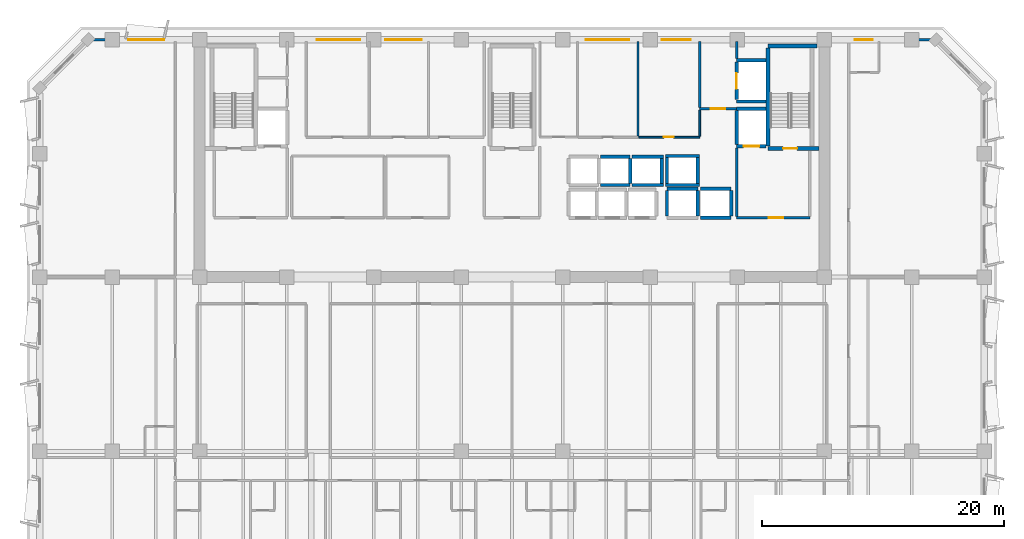
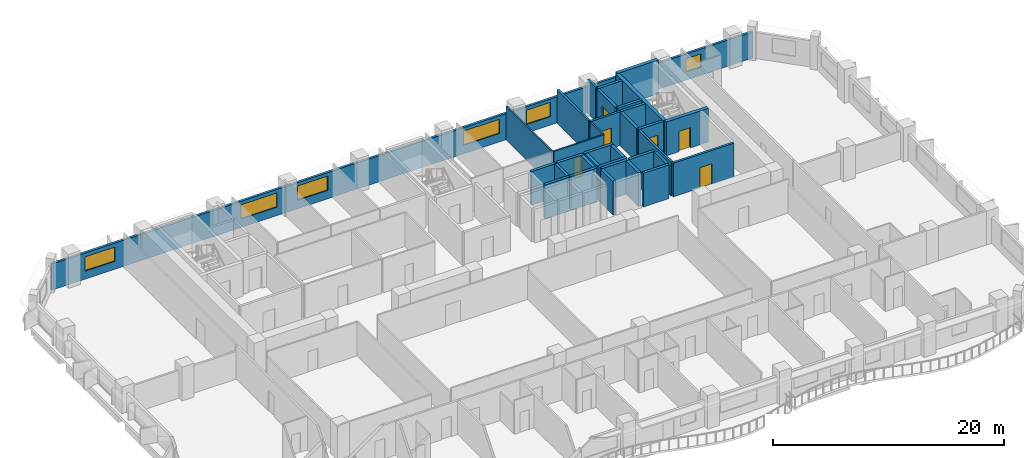
# One storey, part 8 of 15: 34 walls, 6 doors, 6 windows, 12 openings.
"""IFC4 building model written with IfcOpenShell, lengths in metres."""

import ifcopenshell
import ifcopenshell.guid

model = None  # the IFC model being written
_history = None  # IfcOwnerHistory: only IFC2X3 demands one
_inside = {}  # id of a spatial element -> (the spatial element, [elements in it])
_under = {}  # id of a project, library or spatial element -> (it, [spatial elements below it])
_declared = {}  # id of a project -> (the project, [libraries it declares])
_typed = {}  # id of a type object -> (the type object, [elements of that type])
_made_of = {}  # id of a material, layer set ... -> (it, [elements and type objects made of it])


def new_model(schema):
    """Start an empty IFC model of exactly this schema.

    Asked for "IFC4X3", IfcOpenShell would pick the latest addendum, in which some entities
    have other attributes; the version numbers below select the first issue.
    IFC2X3 requires an IfcOwnerHistory on every rooted entity: one is made here for all.
    """
    global model, _history
    if schema == "IFC4X3":
        model = ifcopenshell.file(schema_version=(4, 3, 0, 0))
    else:
        model = ifcopenshell.file(schema=schema)
    _inside.clear()
    _under.clear()
    _declared.clear()
    _typed.clear()
    _made_of.clear()
    _history = None
    if model.schema == "IFC2X3":
        org = make("IfcOrganization", Name="unknown")
        user = make(
            "IfcPersonAndOrganization",
            ThePerson=make("IfcPerson", FamilyName="unknown"),
            TheOrganization=org,
        )
        app = make(
            "IfcApplication",
            ApplicationDeveloper=org,
            Version="unknown",
            ApplicationFullName="unknown",
            ApplicationIdentifier="unknown",
        )
        _history = make(
            "IfcOwnerHistory",
            OwningUser=user,
            OwningApplication=app,
            ChangeAction="ADDED",
            CreationDate=0,
        )
    return model


def make(cls, **values):
    """One entity of the class cls with the attributes given. An attribute that is None is left unset."""
    return model.create_entity(
        cls, **{name: value for name, value in values.items() if value is not None}
    )


def rooted(cls, **values):
    """An entity with a GlobalId (a new one), such as an element, a storey or a relation."""
    return make(cls, GlobalId=ifcopenshell.guid.new(), OwnerHistory=_history, **values)


def si_unit(unit_type, name, prefix=None):
    """IfcSIUnit, for example si_unit("LENGTHUNIT", "METRE", prefix="MILLI")."""
    return make("IfcSIUnit", UnitType=unit_type, Prefix=prefix, Name=name)


def assignment(units):
    """IfcUnitAssignment: the units of a project."""
    return None if units is None else make("IfcUnitAssignment", Units=units)


def point(xyz):
    """IfcCartesianPoint."""
    return None if xyz is None else make("IfcCartesianPoint", Coordinates=xyz)


def direction(xyz):
    """IfcDirection."""
    return None if xyz is None else make("IfcDirection", DirectionRatios=xyz)


def frame(location, z_axis=None, x_axis=None):
    """IfcAxis2Placement3D, a coordinate frame: its origin and axes. An axis left out is left unset."""
    return make(
        "IfcAxis2Placement3D",
        Location=point(location),
        Axis=direction(z_axis),
        RefDirection=direction(x_axis),
    )


def frame_2d(location, x_axis=None):
    """IfcAxis2Placement2D, a coordinate frame in the plane: its origin and x axis."""
    return make(
        "IfcAxis2Placement2D", Location=point(location), RefDirection=direction(x_axis)
    )


def origin():
    """The frame at (0, 0, 0) with its axes left unset."""
    return frame((0.0, 0.0, 0.0))


def place(relative_to, where):
    """IfcLocalPlacement: puts the frame where relative to a parent placement (None: the world)."""
    return make(
        "IfcLocalPlacement", PlacementRelTo=relative_to, RelativePlacement=where
    )


def context(
    kind, dimensions, precision=None, world=None, true_north=None, identifier=None
):
    """IfcGeometricRepresentationContext, for example the 3D "Model" context."""
    return make(
        "IfcGeometricRepresentationContext",
        ContextIdentifier=identifier,
        ContextType=kind,
        CoordinateSpaceDimension=dimensions,
        Precision=precision,
        WorldCoordinateSystem=world,
        TrueNorth=true_north,
    )


def subcontext(parent, identifier, kind, view, scale=None):
    """IfcGeometricRepresentationSubContext, for example "Body" below "Model"."""
    return make(
        "IfcGeometricRepresentationSubContext",
        ContextIdentifier=identifier,
        ContextType=kind,
        ParentContext=parent,
        TargetScale=scale,
        TargetView=view,
    )


def project(units=None, contexts=None):
    """IfcProject with its units and contexts."""
    return rooted(
        "IfcProject",
        Name="project",
        RepresentationContexts=contexts,
        UnitsInContext=assignment(units),
    )


def spatial(cls, under=None, at=None, **own):
    """A site, building, storey or space (cls), placed at a placement, below another one or the project."""
    s = rooted(cls, ObjectPlacement=at, **own)
    if under is not None:
        _under.setdefault(under.id(), (under, []))[1].append(s)
    return s


def profile(cls, at=None, kind="AREA", **sizes):
    """A parametric profile (cls). Its sizes go by their IFC names, for example OverallWidth=200.0."""
    return make(cls, ProfileType=kind, Position=at, **sizes)


def rectangle(**sizes):
    """IfcRectangleProfileDef."""
    return profile("IfcRectangleProfileDef", **sizes)


def extrude(swept, where, along, depth):
    """IfcExtrudedAreaSolid: the profile swept, set in the frame where, extruded along a direction by depth."""
    return make(
        "IfcExtrudedAreaSolid",
        SweptArea=swept,
        Position=where,
        ExtrudedDirection=direction(along),
        Depth=depth,
    )


def shape(context_of_items, identifier, shape_type, items):
    """IfcShapeRepresentation: the items that make up one representation, for example the "Body"."""
    return make(
        "IfcShapeRepresentation",
        ContextOfItems=context_of_items,
        RepresentationIdentifier=identifier,
        RepresentationType=shape_type,
        Items=items,
    )


def material(Name=None, Category=None):
    """IfcMaterial."""
    return make("IfcMaterial", Name=Name, Category=Category)


def layer(
    of_material, thickness, ventilated=None, Name=None, Category=None, Priority=None
):
    """IfcMaterialLayer: one layer of a wall or slab, of a material (None: an air gap)."""
    return make(
        "IfcMaterialLayer",
        Material=of_material,
        LayerThickness=thickness,
        IsVentilated=ventilated,
        Name=Name,
        Category=Category,
        Priority=Priority,
    )


def layer_set(layers, Name=None):
    """IfcMaterialLayerSet."""
    return make("IfcMaterialLayerSet", MaterialLayers=layers, LayerSetName=Name)


def made_of(thing, what):
    """Note that an element or type object is made of a material, layer set ...; save() writes the relation."""
    if what is not None:
        _made_of.setdefault(what.id(), (what, []))[1].append(thing)
    return thing


def type_object(cls, material=None, **own):
    """A type object (cls), such as IfcWallType, which elements share."""
    return made_of(rooted(cls, **own), material)


def element(
    cls,
    number,
    at=None,
    inside=None,
    cuts=None,
    type_object=None,
    material=None,
    context=None,
    identifier="Body",
    shape_type=None,
    held_by="IfcProductDefinitionShape",
    body=None,
    shapes=None,
    **own,
):
    """One element of the class cls, such as IfcWall. Its Tag is "e" and its number.

    at: its placement. inside: the storey or other place that contains it. cuts: it is an
    opening in that element (IfcRelVoidsElement). A single representation is given by context,
    identifier, shape_type and body (its items); several are given by shapes. held_by: the class
    of the entity that holds the representations. save() writes the other relations.
    """
    e = rooted(cls, Tag="e%d" % number, ObjectPlacement=at, **own)
    if body is not None:
        shapes = [shape(context, identifier, shape_type, body)]
    if shapes is not None:
        e.Representation = make(held_by, Representations=shapes)
    if inside is not None:
        _inside.setdefault(inside.id(), (inside, []))[1].append(e)
    if cuts is not None:
        rooted(
            "IfcRelVoidsElement", RelatingBuildingElement=cuts, RelatedOpeningElement=e
        )
    if type_object is not None:
        _typed.setdefault(type_object.id(), (type_object, []))[1].append(e)
    return made_of(e, material)


def fill(opening, filler):
    """IfcRelFillsElement: the door or window that sits in an opening."""
    return rooted(
        "IfcRelFillsElement",
        RelatingOpeningElement=opening,
        RelatedBuildingElement=filler,
    )


def aggregate(whole, parts):
    """IfcRelAggregates: a whole, such as a stair, and the parts it consists of."""
    return rooted("IfcRelAggregates", RelatingObject=whole, RelatedObjects=parts)


def save(model, path):
    """Write the relations noted so far, then the file.

    IfcRelAggregates (storeys below a building ...), IfcRelContainedInSpatialStructure (elements
    in a storey), IfcRelDefinesByType, IfcRelAssociatesMaterial and IfcRelDeclares: one each for
    every whole, place, type object, material and project.
    """
    for whole, parts in _under.values():
        aggregate(whole, parts)
    for where, things in _inside.values():
        rooted(
            "IfcRelContainedInSpatialStructure",
            RelatedElements=things,
            RelatingStructure=where,
        )
    for kind, things in _typed.values():
        rooted("IfcRelDefinesByType", RelatedObjects=things, RelatingType=kind)
    for what, things in _made_of.values():
        rooted("IfcRelAssociatesMaterial", RelatedObjects=things, RelatingMaterial=what)
    for by, libraries in _declared.values():
        rooted("IfcRelDeclares", RelatingContext=by, RelatedDefinitions=libraries)
    model.write(path)


model = new_model("IFC4")

# Units and contexts
model_context = context("Model", 3, precision=1e-05, world=origin(), true_north=direction((0.0, 1.0)))
body_context = subcontext(model_context, "Body", "Model", "MODEL_VIEW")
ifc_project = project(units=[si_unit("LENGTHUNIT", "METRE"), si_unit("AREAUNIT", "SQUARE_METRE"), si_unit("VOLUMEUNIT", "CUBIC_METRE"), si_unit("PLANEANGLEUNIT", "RADIAN"), si_unit("MASSUNIT", "GRAM", prefix="KILO")], contexts=[model_context])

# Site, building, storey
site_placement = place(None, origin())
site = spatial("IfcSite", under=ifc_project, at=site_placement, CompositionType="ELEMENT")
building_placement = place(site_placement, origin())
building = spatial("IfcBuilding", under=site, at=building_placement, Name="Kaelvorn Grand Hotel", CompositionType="ELEMENT")
storey_placement = place(building_placement, frame((0.0, 0.0, 158.14990234375)))
storey = spatial("IfcBuildingStorey", under=building, at=storey_placement, Name="L38", CompositionType="ELEMENT", Elevation=158.14990234375)

# Wall, openings, windows
ifc_material_1 = material(Name="Concrete C40/50", Category="concrete")
ifc_layer_1 = layer(ifc_material_1, 0.239990234375)
ifc_layer_set_1 = layer_set([ifc_layer_1], Name="Concrete C40/50")
wall_type_1 = type_object("IfcWallType", Name="WL-EXT-240-C40", PredefinedType="SOLIDWALL", material=ifc_layer_set_1)
wall_1_placement = place(storey_placement, frame((77.0, 49.0, 0.0), z_axis=(0.0, 0.0, 1.0), x_axis=(-1.0, 0.0, 0.0)))
wall_1 = element("IfcWall", 1, at=wall_1_placement, inside=storey, type_object=wall_type_1, Name="L38 Exterior Architectural Concrete Wall 05", PredefinedType="SOLIDWALL", context=body_context, shape_type="SweptSolid", body=[
    extrude(rectangle(XDim=70.0, YDim=0.239990234375, at=frame_2d((35.0, 0.0))), origin(), (0.0, 0.0, 1.0), 2.760009765625),
])
opening_1_placement = place(wall_1_placement, frame((63.699951171875, 0.0, 0.85009765625)))
opening_1 = element("IfcOpeningElement", 2, at=opening_1_placement, cuts=wall_1, Name="Opening W5", PredefinedType="OPENING", context=body_context, shape_type="SweptSolid", body=[
    extrude(rectangle(XDim=3.0, YDim=1.5, at=frame_2d((1.5, 0.75))), frame((0.0, 0.1298828125, 0.0), z_axis=(0.0, -1.0, 0.0), x_axis=(1.0, 0.0, 0.0)), (0.0, 0.0, 1.0), 0.260009765625),
])
opening_2_placement = place(wall_1_placement, frame((5.199951171875, 0.0, 0.85009765625)))
opening_2 = element("IfcOpeningElement", 3, at=opening_2_placement, cuts=wall_1, Name="Opening W10", PredefinedType="OPENING", context=body_context, shape_type="SweptSolid", body=[
    extrude(rectangle(XDim=1.5, YDim=1.39990234375, at=frame_2d((0.75, 0.699951171875))), frame((0.0, 0.1298828125, 0.0), z_axis=(0.0, -1.0, 0.0), x_axis=(1.0, 0.0, 0.0)), (0.0, 0.0, 1.0), 0.260009765625),
])
opening_3_placement = place(wall_1_placement, frame((47.514892578125, 0.0, 0.89990234375)))
opening_3 = element("IfcOpeningElement", 4, at=opening_3_placement, cuts=wall_1, Name="Opening W3", PredefinedType="OPENING", context=body_context, shape_type="SweptSolid", body=[
    extrude(rectangle(XDim=3.60009765625, YDim=1.5, at=frame_2d((1.800048828125, 0.75))), frame((0.0, 0.1298828125, 0.0), z_axis=(0.0, -1.0, 0.0), x_axis=(1.0, 0.0, 0.0)), (0.0, 0.0, 1.0), 0.260009765625),
])
opening_4_placement = place(wall_1_placement, frame((42.449951171875, 0.0, 0.89990234375)))
opening_4 = element("IfcOpeningElement", 5, at=opening_4_placement, cuts=wall_1, Name="Opening W5", PredefinedType="OPENING", context=body_context, shape_type="SweptSolid", body=[
    extrude(rectangle(XDim=3.0, YDim=1.5, at=frame_2d((1.5, 0.75))), frame((0.0, 0.1298828125, 0.0), z_axis=(0.0, -1.0, 0.0), x_axis=(1.0, 0.0, 0.0)), (0.0, 0.0, 1.0), 0.260009765625),
])
opening_5_placement = place(wall_1_placement, frame((25.300048828125, 0.0, 0.89990234375)))
opening_5 = element("IfcOpeningElement", 6, at=opening_5_placement, cuts=wall_1, Name="Opening W3", PredefinedType="OPENING", context=body_context, shape_type="SweptSolid", body=[
    extrude(rectangle(XDim=3.60009765625, YDim=1.5, at=frame_2d((1.800048828125, 0.75))), frame((0.0, 0.1298828125, 0.0), z_axis=(0.0, -1.0, 0.0), x_axis=(1.0, 0.0, 0.0)), (0.0, 0.0, 1.0), 0.260009765625),
])
opening_6_placement = place(wall_1_placement, frame((20.235107421875, 0.0, 0.89990234375)))
opening_6 = element("IfcOpeningElement", 7, at=opening_6_placement, cuts=wall_1, Name="Opening W6", PredefinedType="OPENING", context=body_context, shape_type="SweptSolid", body=[
    extrude(rectangle(XDim=2.39990234375, YDim=1.5, at=frame_2d((1.199951171875, 0.75))), frame((0.0, 0.1298828125, 0.0), z_axis=(0.0, -1.0, 0.0), x_axis=(1.0, 0.0, 0.0)), (0.0, 0.0, 1.0), 0.260009765625),
])
ifc_material_2 = material(Name="Laminated Low-E Glass", Category="glass")
window_type_1 = type_object("IfcWindowType", Name="WIN-COR-1500x1400", PartitioningType="SINGLE_PANEL", PredefinedType="WINDOW", material=ifc_material_2)
window_1_placement = place(opening_2_placement, origin())
window_1 = element("IfcWindow", 8, at=window_1_placement, inside=storey, type_object=window_type_1, Name="L38 North Wing Ribbon Window NW02", OverallHeight=1.39990234375, OverallWidth=1.5, PartitioningType="SINGLE_PANEL", PredefinedType="WINDOW", context=body_context, shape_type="SweptSolid", body=[
    extrude(rectangle(XDim=1.5, YDim=1.39990234375, at=frame_2d((0.75, 0.699951171875))), frame((0.0, 0.030029296875, 0.0), z_axis=(0.0, -1.0, 0.0), x_axis=(1.0, 0.0, 0.0)), (0.0, 0.0, 1.0), 0.06005859375),
])
fill(opening_2, window_1)
window_type_2 = type_object("IfcWindowType", Name="WIN-NTH-2400x1500", PartitioningType="SINGLE_PANEL", PredefinedType="WINDOW", material=ifc_material_2)
window_2_placement = place(opening_6_placement, origin())
window_2 = element("IfcWindow", 9, at=window_2_placement, inside=storey, type_object=window_type_2, Name="L38 North Core Clerestory Ribbon Window NC06", OverallHeight=1.5, OverallWidth=2.39990234375, PartitioningType="SINGLE_PANEL", PredefinedType="WINDOW", context=body_context, shape_type="SweptSolid", body=[
    extrude(rectangle(XDim=2.39990234375, YDim=1.5, at=frame_2d((1.199951171875, 0.75))), frame((0.0, 0.030029296875, 0.0), z_axis=(0.0, -1.0, 0.0), x_axis=(1.0, 0.0, 0.0)), (0.0, 0.0, 1.0), 0.06005859375),
])
fill(opening_6, window_2)
window_type_3 = type_object("IfcWindowType", Name="WIN-NTH-3000x1500", PartitioningType="SINGLE_PANEL", PredefinedType="WINDOW", material=ifc_material_2)
window_3_placement = place(opening_1_placement, origin())
window_3 = element("IfcWindow", 10, at=window_3_placement, inside=storey, type_object=window_type_3, Name="L38 North Wing Ribbon Window NW01", OverallHeight=1.5, OverallWidth=3.0, PartitioningType="SINGLE_PANEL", PredefinedType="WINDOW", context=body_context, shape_type="SweptSolid", body=[
    extrude(rectangle(XDim=3.0, YDim=1.5, at=frame_2d((1.5, 0.75))), frame((0.0, 0.030029296875, 0.0), z_axis=(0.0, -1.0, 0.0), x_axis=(1.0, 0.0, 0.0)), (0.0, 0.0, 1.0), 0.06005859375),
])
fill(opening_1, window_3)
window_4_placement = place(opening_4_placement, origin())
window_4 = element("IfcWindow", 11, at=window_4_placement, inside=storey, type_object=window_type_3, Name="L38 North Core Clerestory Ribbon Window NC04", OverallHeight=1.5, OverallWidth=3.0, PartitioningType="SINGLE_PANEL", PredefinedType="WINDOW", context=body_context, shape_type="SweptSolid", body=[
    extrude(rectangle(XDim=3.0, YDim=1.5, at=frame_2d((1.5, 0.75))), frame((0.0, 0.030029296875, 0.0), z_axis=(0.0, -1.0, 0.0), x_axis=(1.0, 0.0, 0.0)), (0.0, 0.0, 1.0), 0.06005859375),
])
fill(opening_4, window_4)
window_type_4 = type_object("IfcWindowType", Name="WIN-RIB-3600x1750", PartitioningType="SINGLE_PANEL", PredefinedType="WINDOW", material=ifc_material_2)
window_5_placement = place(opening_3_placement, origin())
window_5 = element("IfcWindow", 12, at=window_5_placement, inside=storey, type_object=window_type_4, Name="L38 North Core Clerestory Ribbon Window NC03", OverallHeight=1.5, OverallWidth=3.60009765625, PartitioningType="SINGLE_PANEL", PredefinedType="WINDOW", context=body_context, shape_type="SweptSolid", body=[
    extrude(rectangle(XDim=3.60009765625, YDim=1.5, at=frame_2d((1.800048828125, 0.75))), frame((0.0, 0.030029296875, 0.0), z_axis=(0.0, -1.0, 0.0), x_axis=(1.0, 0.0, 0.0)), (0.0, 0.0, 1.0), 0.06005859375),
])
fill(opening_3, window_5)
window_6_placement = place(opening_5_placement, origin())
window_6 = element("IfcWindow", 13, at=window_6_placement, inside=storey, type_object=window_type_4, Name="L38 North Core Clerestory Ribbon Window NC05", OverallHeight=1.5, OverallWidth=3.60009765625, PartitioningType="SINGLE_PANEL", PredefinedType="WINDOW", context=body_context, shape_type="SweptSolid", body=[
    extrude(rectangle(XDim=3.60009765625, YDim=1.5, at=frame_2d((1.800048828125, 0.75))), frame((0.0, 0.030029296875, 0.0), z_axis=(0.0, -1.0, 0.0), x_axis=(1.0, 0.0, 0.0)), (0.0, 0.0, 1.0), 0.06005859375),
])
fill(opening_5, window_6)

# Wall
ifc_material_3 = material(Name="Acoustic Gypsum & Stud Partition")
ifc_layer_2 = layer(ifc_material_3, 0.14990234375)
ifc_layer_set_2 = layer_set([ifc_layer_2], Name="Acoustic Gypsum & Stud Partition")
wall_type_2 = type_object("IfcWallType", Name="WL-PART-150-EI60", PredefinedType="PARTITIONING", material=ifc_layer_set_2)
wall_2_placement = place(storey_placement, frame((52.39990234375, 41.030029296875, 0.0), z_axis=(0.0, 0.0, 1.0), x_axis=(0.0, 1.0, 0.0)))
element("IfcWall", 14, at=wall_2_placement, inside=storey, type_object=wall_type_2, Name="L38 Valet & Luggage Store E Partition", PredefinedType="PARTITIONING", context=body_context, shape_type="SweptSolid", body=[
    extrude(rectangle(XDim=7.820068359375, YDim=0.14990234375, at=frame_2d((3.91015625, 0.0))), origin(), (0.0, 0.0, 1.0), 3.56005859375),
])

# Wall, opening, door
wall_3_placement = place(storey_placement, frame((52.47998046875, 40.949951171875, 0.0), z_axis=(0.0, 0.0, 1.0), x_axis=(1.0, 0.0, 0.0)))
wall_3 = element("IfcWall", 15, at=wall_3_placement, inside=storey, type_object=wall_type_2, Name="L38 Clean Utility & Amenity Store S Partition", PredefinedType="PARTITIONING", context=body_context, shape_type="SweptSolid", body=[
    extrude(rectangle(XDim=5.02001953125, YDim=0.14990234375, at=frame_2d((2.510009765625, 0.0))), origin(), (0.0, 0.0, 1.0), 3.56005859375),
])
opening_7_placement = place(wall_3_placement, frame((2.044921875, 0.0, 0.0)))
opening_7 = element("IfcOpeningElement", 16, at=opening_7_placement, cuts=wall_3, Name="Opening DI7", PredefinedType="OPENING", context=body_context, shape_type="SweptSolid", body=[
    extrude(rectangle(XDim=0.85009765625, YDim=2.10009765625, at=frame_2d((0.425048828125, 1.050048828125))), frame((0.0, 0.0849609375, 0.0), z_axis=(0.0, -1.0, 0.0), x_axis=(1.0, 0.0, 0.0)), (0.0, 0.0, 1.0), 0.169921875),
])
ifc_material_4 = material(Name="Powder-Coated Steel Leaf", Category="steel")
door_type_1 = type_object("IfcDoorType", Name="DR-INT-RISER-850x2100", OperationType="NOTDEFINED", PredefinedType="DOOR", material=ifc_material_4)
door_1_placement = place(opening_7_placement, origin())
door_1 = element("IfcDoor", 17, at=door_1_placement, inside=storey, type_object=door_type_1, Name="L38 Clean Utility & Amenity Store Door", OperationType="SINGLE_SWING_LEFT", OverallHeight=2.10009765625, OverallWidth=0.85009765625, PredefinedType="DOOR", context=body_context, shape_type="SweptSolid", body=[
    extrude(rectangle(XDim=0.85009765625, YDim=2.10009765625, at=frame_2d((0.425048828125, 1.050048828125))), frame((0.0, 0.02490234375, 0.0), z_axis=(0.0, -1.0, 0.0), x_axis=(1.0, 0.0, 0.0)), (0.0, 0.0, 1.0), 0.050048828125),
])
fill(opening_7, door_1)

# Wall
wall_4_placement = place(storey_placement, frame((57.5, 41.030029296875, 0.0), z_axis=(0.0, 0.0, 1.0), x_axis=(0.0, 1.0, 0.0)))
element("IfcWall", 18, at=wall_4_placement, inside=storey, type_object=wall_type_2, Name="L38 Clean Utility & Amenity Store E Partition", PredefinedType="PARTITIONING", context=body_context, shape_type="SweptSolid", body=[
    extrude(rectangle(XDim=2.155029296875, YDim=0.14990234375, at=frame_2d((1.07763671875, 0.0))), origin(), (0.0, 0.0, 1.0), 3.56005859375),
])

# Wall, opening, door
ifc_layer_3 = layer(ifc_material_1, 0.219970703125)
ifc_layer_set_3 = layer_set([ifc_layer_3], Name="Concrete C40/50")
wall_type_3 = type_object("IfcWallType", Name="WL-PART-220-EI120", PredefinedType="PARTITIONING", material=ifc_layer_set_3)
wall_5_placement = place(storey_placement, frame((60.550048828125, 34.300048828125, 0.0), z_axis=(0.0, 0.0, 1.0), x_axis=(1.0, 0.0, 0.0)))
wall_5 = element("IfcWall", 19, at=wall_5_placement, inside=storey, type_object=wall_type_3, Name="L38 Firefighting Lift Lobby 2 S Partition", PredefinedType="PARTITIONING", context=body_context, shape_type="SweptSolid", body=[
    extrude(rectangle(XDim=6.050048828125, YDim=0.219970703125, at=frame_2d((3.02490234375, 0.0))), origin(), (0.0, 0.0, 1.0), 3.56005859375),
])
opening_8_placement = place(wall_5_placement, frame((2.64990234375, 0.0, 0.0)))
opening_8 = element("IfcOpeningElement", 20, at=opening_8_placement, cuts=wall_5, Name="Opening DI2", PredefinedType="OPENING", context=body_context, shape_type="SweptSolid", body=[
    extrude(rectangle(XDim=1.199951171875, YDim=2.14990234375, at=frame_2d((0.60009765625, 1.074951171875))), frame((0.0, 0.1201171875, 0.0), z_axis=(0.0, -1.0, 0.0), x_axis=(1.0, 0.0, 0.0)), (0.0, 0.0, 1.0), 0.239990234375),
])
ifc_material_5 = material(Name="Timber Veneer Fire Leaf", Category="wood")
door_type_2 = type_object("IfcDoorType", Name="DR-INT-FFLOB-1200x2150", OperationType="NOTDEFINED", PredefinedType="DOOR", material=ifc_material_5)
door_2_placement = place(opening_8_placement, origin())
door_2 = element("IfcDoor", 21, at=door_2_placement, inside=storey, type_object=door_type_2, Name="L38 Firefighting Lift Lobby 2 Door", OperationType="SINGLE_SWING_LEFT", OverallHeight=2.14990234375, OverallWidth=1.199951171875, PredefinedType="DOOR", context=body_context, shape_type="SweptSolid", body=[
    extrude(rectangle(XDim=1.199951171875, YDim=2.14990234375, at=frame_2d((0.60009765625, 1.074951171875))), frame((0.0, 0.02490234375, 0.0), z_axis=(0.0, -1.0, 0.0), x_axis=(1.0, 0.0, 0.0)), (0.0, 0.0, 1.0), 0.050048828125),
])
fill(opening_8, door_2)

# Wall
wall_6_placement = place(storey_placement, frame((60.550048828125, 34.4150390625, 0.0), z_axis=(0.0, 0.0, 1.0), x_axis=(0.0, 1.0, 0.0)))
element("IfcWall", 22, at=wall_6_placement, inside=storey, type_object=wall_type_3, Name="L38 Firefighting Lift Lobby 2 W Partition", PredefinedType="PARTITIONING", context=body_context, shape_type="SweptSolid", body=[
    extrude(rectangle(XDim=5.639892578125, YDim=0.219970703125, at=frame_2d((2.81982421875, 0.0))), origin(), (0.0, 0.0, 1.0), 3.56005859375),
])

# Wall, opening, door
wall_7_placement = place(storey_placement, frame((57.5, 43.300048828125, 0.0), z_axis=(0.0, 0.0, 1.0), x_axis=(1.0, 0.0, 0.0)))
wall_7 = element("IfcWall", 23, at=wall_7_placement, inside=storey, type_object=wall_type_3, Name="L38 Service Lift Lobby S Partition", PredefinedType="PARTITIONING", context=body_context, shape_type="SweptSolid", body=[
    extrude(rectangle(XDim=3.0400390625, YDim=0.219970703125, at=frame_2d((1.52001953125, 0.0))), origin(), (0.0, 0.0, 1.0), 3.56005859375),
])
opening_9_placement = place(wall_7_placement, frame((0.89990234375, 0.0, 0.0)))
opening_9 = element("IfcOpeningElement", 24, at=opening_9_placement, cuts=wall_7, Name="Opening DI2", PredefinedType="OPENING", context=body_context, shape_type="SweptSolid", body=[
    extrude(rectangle(XDim=1.199951171875, YDim=2.14990234375, at=frame_2d((0.60009765625, 1.074951171875))), frame((0.0, 0.1201171875, 0.0), z_axis=(0.0, -1.0, 0.0), x_axis=(1.0, 0.0, 0.0)), (0.0, 0.0, 1.0), 0.239990234375),
])
door_3_placement = place(opening_9_placement, origin())
door_3 = element("IfcDoor", 25, at=door_3_placement, inside=storey, type_object=door_type_2, Name="L38 Service Lift Lobby Door", OperationType="SINGLE_SWING_LEFT", OverallHeight=2.14990234375, OverallWidth=1.199951171875, PredefinedType="DOOR", context=body_context, shape_type="SweptSolid", body=[
    extrude(rectangle(XDim=1.199951171875, YDim=2.14990234375, at=frame_2d((0.60009765625, 1.074951171875))), frame((0.0, 0.02490234375, 0.0), z_axis=(0.0, -1.0, 0.0), x_axis=(1.0, 0.0, 0.0)), (0.0, 0.0, 1.0), 0.050048828125),
])
fill(opening_9, door_3)

# Walls
wall_8_placement = place(storey_placement, frame((57.5, 43.4150390625, 0.0), z_axis=(0.0, 0.0, 1.0), x_axis=(0.0, 1.0, 0.0)))
element("IfcWall", 26, at=wall_8_placement, inside=storey, type_object=wall_type_3, Name="L38 Service Lift Lobby W Partition", PredefinedType="PARTITIONING", context=body_context, shape_type="SweptSolid", body=[
    extrude(rectangle(XDim=5.43505859375, YDim=0.219970703125, at=frame_2d((2.717529296875, 0.0))), origin(), (0.0, 0.0, 1.0), 3.56005859375),
])
wall_9_placement = place(storey_placement, frame((60.550048828125, 47.445068359375, 0.0), z_axis=(0.0, 0.0, 1.0), x_axis=(0.0, 1.0, 0.0)))
element("IfcWall", 27, at=wall_9_placement, inside=storey, type_object=wall_type_3, Name="L38 Service Lift Lobby E Partition", PredefinedType="PARTITIONING", context=body_context, shape_type="SweptSolid", body=[
    extrude(rectangle(XDim=1.405029296875, YDim=0.219970703125, at=frame_2d((0.70263671875, 0.0))), origin(), (0.0, 0.0, 1.0), 3.56005859375),
])
ifc_material_6 = material(Name="Concrete C50/60", Category="concrete")
ifc_layer_4 = layer(ifc_material_6, 0.280029296875)
ifc_layer_set_4 = layer_set([ifc_layer_4], Name="Concrete C50/60")
wall_type_4 = type_object("IfcWallType", Name="WL-SHAFT-280-C50", PredefinedType="SHEAR", material=ifc_layer_set_4)
for number, where, z_axis, x_axis, name in (
    (28, (49.300048828125, 37.0, 0.0), (0.0, 0.0, 1.0), (1.0, 0.0, 0.0), "L38 Lift SL-2 Shaft South Wall"),
    (29, (49.300048828125, 39.35009765625, 0.0), (0.0, 0.0, 1.0), (1.0, 0.0, 0.0), "L38 Lift SL-2 Shaft North Wall"),
):
    element("IfcWall", number, at=place(storey_placement, frame(where, z_axis=z_axis, x_axis=x_axis)), inside=storey, type_object=wall_type_4, Name=name, PredefinedType="SHEAR", context=body_context, shape_type="SweptSolid", body=[
        extrude(rectangle(XDim=2.449951171875, YDim=0.280029296875, at=frame_2d((1.22509765625, 0.0))), origin(), (0.0, 0.0, 1.0), 3.56005859375),
    ])
wall_10_placement = place(storey_placement, frame((51.75, 37.14501953125, 0.0), z_axis=(0.0, 0.0, 1.0), x_axis=(0.0, 1.0, 0.0)))
element("IfcWall", 30, at=wall_10_placement, inside=storey, type_object=wall_type_4, Name="L38 Lift SL-2 Shaft East Wall", PredefinedType="SHEAR", context=body_context, shape_type="SweptSolid", body=[
    extrude(rectangle(XDim=2.06005859375, YDim=0.280029296875, at=frame_2d((1.030029296875, 0.0))), origin(), (0.0, 0.0, 1.0), 3.56005859375),
])
for number, where, z_axis, x_axis, name in (
    (31, (51.89990234375, 37.0, 0.0), (0.0, 0.0, 1.0), (1.0, 0.0, 0.0), "L38 Lift SL-3 Shaft South Wall"),
    (32, (51.89990234375, 39.35009765625, 0.0), (0.0, 0.0, 1.0), (1.0, 0.0, 0.0), "L38 Lift SL-3 Shaft North Wall"),
):
    element("IfcWall", number, at=place(storey_placement, frame(where, z_axis=z_axis, x_axis=x_axis)), inside=storey, type_object=wall_type_4, Name=name, PredefinedType="SHEAR", context=body_context, shape_type="SweptSolid", body=[
        extrude(rectangle(XDim=2.590087890625, YDim=0.280029296875, at=frame_2d((1.294921875, 0.0))), origin(), (0.0, 0.0, 1.0), 3.56005859375),
    ])
wall_11_placement = place(storey_placement, frame((54.35009765625, 37.14501953125, 0.0), z_axis=(0.0, 0.0, 1.0), x_axis=(0.0, 1.0, 0.0)))
element("IfcWall", 33, at=wall_11_placement, inside=storey, type_object=wall_type_4, Name="L38 Lift SL-3 Shaft East Wall", PredefinedType="SHEAR", context=body_context, shape_type="SweptSolid", body=[
    extrude(rectangle(XDim=2.06005859375, YDim=0.280029296875, at=frame_2d((1.030029296875, 0.0))), origin(), (0.0, 0.0, 1.0), 3.56005859375),
])
wall_12_placement = place(storey_placement, frame((54.800048828125, 36.699951171875, 0.0), z_axis=(0.0, 0.0, 1.0), x_axis=(1.0, 0.0, 0.0)))
element("IfcWall", 34, at=wall_12_placement, inside=storey, type_object=wall_type_4, Name="L38 Lift OL-1 Shaft North Wall", PredefinedType="SHEAR", context=body_context, shape_type="SweptSolid", body=[
    extrude(rectangle(XDim=2.550048828125, YDim=0.280029296875, at=frame_2d((1.27490234375, 0.0))), origin(), (0.0, 0.0, 1.0), 3.56005859375),
])
for number, where, z_axis, x_axis, name in (
    (35, (54.800048828125, 34.445068359375, 0.0), (0.0, 0.0, 1.0), (0.0, 1.0, 0.0), "L38 Lift OL-1 Shaft West Wall"),
    (36, (57.35009765625, 34.445068359375, 0.0), (0.0, 0.0, 1.0), (0.0, 1.0, 0.0), "L38 Lift OL-1 Shaft East Wall"),
):
    element("IfcWall", number, at=place(storey_placement, frame(where, z_axis=z_axis, x_axis=x_axis)), inside=storey, type_object=wall_type_4, Name=name, PredefinedType="SHEAR", context=body_context, shape_type="SweptSolid", body=[
        extrude(rectangle(XDim=2.10986328125, YDim=0.280029296875, at=frame_2d((1.054931640625, 0.0))), origin(), (0.0, 0.0, 1.0), 3.56005859375),
    ])
for number, where, z_axis, x_axis, name in (
    (37, (57.550048828125, 34.300048828125, 0.0), (0.0, 0.0, 1.0), (1.0, 0.0, 0.0), "L38 Lift OL-2 Shaft South Wall"),
    (38, (57.550048828125, 36.699951171875, 0.0), (0.0, 0.0, 1.0), (1.0, 0.0, 0.0), "L38 Lift OL-2 Shaft North Wall"),
):
    element("IfcWall", number, at=place(storey_placement, frame(where, z_axis=z_axis, x_axis=x_axis)), inside=storey, type_object=wall_type_4, Name=name, PredefinedType="SHEAR", context=body_context, shape_type="SweptSolid", body=[
        extrude(rectangle(XDim=2.550048828125, YDim=0.280029296875, at=frame_2d((1.27490234375, 0.0))), origin(), (0.0, 0.0, 1.0), 3.56005859375),
    ])
wall_13_placement = place(storey_placement, frame((60.10009765625, 34.445068359375, 0.0), z_axis=(0.0, 0.0, 1.0), x_axis=(0.0, 1.0, 0.0)))
element("IfcWall", 39, at=wall_13_placement, inside=storey, type_object=wall_type_4, Name="L38 Lift OL-2 Shaft East Wall", PredefinedType="SHEAR", context=body_context, shape_type="SweptSolid", body=[
    extrude(rectangle(XDim=2.10986328125, YDim=0.280029296875, at=frame_2d((1.054931640625, 0.0))), origin(), (0.0, 0.0, 1.0), 3.56005859375),
])
for number, where, z_axis, x_axis, name in (
    (40, (54.659912109375, 37.0, 0.0), (0.0, 0.0, 1.0), (1.0, 0.0, 0.0), "L38 Lift OL-3 Shaft South Wall"),
    (41, (54.659912109375, 39.39990234375, 0.0), (0.0, 0.0, 1.0), (1.0, 0.0, 0.0), "L38 Lift OL-3 Shaft North Wall"),
):
    element("IfcWall", number, at=place(storey_placement, frame(where, z_axis=z_axis, x_axis=x_axis)), inside=storey, type_object=wall_type_4, Name=name, PredefinedType="SHEAR", context=body_context, shape_type="SweptSolid", body=[
        extrude(rectangle(XDim=2.830078125, YDim=0.280029296875, at=frame_2d((1.4150390625, 0.0))), origin(), (0.0, 0.0, 1.0), 3.56005859375),
    ])
for number, where, z_axis, x_axis, name in (
    (42, (54.800048828125, 37.14501953125, 0.0), (0.0, 0.0, 1.0), (0.0, 1.0, 0.0), "L38 Lift OL-3 Shaft West Wall"),
    (43, (57.35009765625, 37.14501953125, 0.0), (0.0, 0.0, 1.0), (0.0, 1.0, 0.0), "L38 Lift OL-3 Shaft East Wall"),
):
    element("IfcWall", number, at=place(storey_placement, frame(where, z_axis=z_axis, x_axis=x_axis)), inside=storey, type_object=wall_type_4, Name=name, PredefinedType="SHEAR", context=body_context, shape_type="SweptSolid", body=[
        extrude(rectangle(XDim=2.10986328125, YDim=0.280029296875, at=frame_2d((1.054931640625, 0.0))), origin(), (0.0, 0.0, 1.0), 3.56005859375),
    ])

# Wall, opening, door
wall_14_placement = place(storey_placement, frame((60.550048828125, 40.199951171875, 0.0), z_axis=(0.0, 0.0, 1.0), x_axis=(1.0, 0.0, 0.0)))
wall_14 = element("IfcWall", 44, at=wall_14_placement, inside=storey, type_object=wall_type_4, Name="L38 Lift FFL2 Shaft South Wall", PredefinedType="SHEAR", context=body_context, shape_type="SweptSolid", body=[
    extrude(rectangle(XDim=2.4150390625, YDim=0.280029296875, at=frame_2d((1.20751953125, 0.0))), origin(), (0.0, 0.0, 1.0), 3.56005859375),
])
opening_10_placement = place(wall_14_placement, frame((0.574951171875, 0.0, 0.0)))
opening_10 = element("IfcOpeningElement", 45, at=opening_10_placement, cuts=wall_14, Name="Opening LD-FFL2", PredefinedType="OPENING", context=body_context, shape_type="SweptSolid", body=[
    extrude(rectangle(XDim=1.300048828125, YDim=2.300048828125, at=frame_2d((0.64990234375, 1.14990234375))), frame((0.0, 0.14990234375, 0.0), z_axis=(0.0, -1.0, 0.0), x_axis=(1.0, 0.0, 0.0)), (0.0, 0.0, 1.0), 0.300048828125),
])
ifc_material_7 = material(Name="Stainless Steel", Category="steel")
door_type_3 = type_object("IfcDoorType", Name="DR-LIFT-SERV-1300x2300", OperationType="DOUBLE_DOOR_SLIDING", PredefinedType="DOOR", material=ifc_material_7)
door_4_placement = place(opening_10_placement, origin())
door_4 = element("IfcDoor", 46, at=door_4_placement, inside=storey, type_object=door_type_3, Name="L38 Lift FFL2 Sliding Landing Door LD-FFL2", OperationType="DOUBLE_DOOR_SLIDING", OverallHeight=2.300048828125, OverallWidth=1.300048828125, PredefinedType="DOOR", context=body_context, shape_type="SweptSolid", body=[
    extrude(rectangle(XDim=1.300048828125, YDim=2.300048828125, at=frame_2d((0.64990234375, 1.14990234375))), frame((0.0, 0.02490234375, 0.0), z_axis=(0.0, -1.0, 0.0), x_axis=(1.0, 0.0, 0.0)), (0.0, 0.0, 1.0), 0.050048828125),
])
fill(opening_10, door_4)

# Walls
wall_15_placement = place(storey_placement, frame((60.550048828125, 43.300048828125, 0.0), z_axis=(0.0, 0.0, 1.0), x_axis=(1.0, 0.0, 0.0)))
element("IfcWall", 47, at=wall_15_placement, inside=storey, type_object=wall_type_4, Name="L38 Lift FFL2 Shaft North Wall", PredefinedType="SHEAR", context=body_context, shape_type="SweptSolid", body=[
    extrude(rectangle(XDim=2.4150390625, YDim=0.280029296875, at=frame_2d((1.20751953125, 0.0))), origin(), (0.0, 0.0, 1.0), 3.56005859375),
])
wall_16_placement = place(storey_placement, frame((60.550048828125, 40.344970703125, 0.0), z_axis=(0.0, 0.0, 1.0), x_axis=(0.0, 1.0, 0.0)))
element("IfcWall", 48, at=wall_16_placement, inside=storey, type_object=wall_type_4, Name="L38 Lift FFL2 Shaft West Wall", PredefinedType="SHEAR", context=body_context, shape_type="SweptSolid", body=[
    extrude(rectangle(XDim=2.81005859375, YDim=0.280029296875, at=frame_2d((1.405029296875, 0.0))), origin(), (0.0, 0.0, 1.0), 3.56005859375),
])
for number, where, z_axis, x_axis, name in (
    (49, (60.550048828125, 43.89990234375, 0.0), (0.0, 0.0, 1.0), (1.0, 0.0, 0.0), "L38 Lift SV1 Shaft South Wall"),
    (50, (60.550048828125, 47.300048828125, 0.0), (0.0, 0.0, 1.0), (1.0, 0.0, 0.0), "L38 Lift SV1 Shaft North Wall"),
):
    element("IfcWall", number, at=place(storey_placement, frame(where, z_axis=z_axis, x_axis=x_axis)), inside=storey, type_object=wall_type_4, Name=name, PredefinedType="SHEAR", context=body_context, shape_type="SweptSolid", body=[
        extrude(rectangle(XDim=2.4150390625, YDim=0.280029296875, at=frame_2d((1.20751953125, 0.0))), origin(), (0.0, 0.0, 1.0), 3.56005859375),
    ])

# Wall, opening, door
wall_17_placement = place(storey_placement, frame((60.550048828125, 44.044921875, 0.0), z_axis=(0.0, 0.0, 1.0), x_axis=(0.0, 1.0, 0.0)))
wall_17 = element("IfcWall", 51, at=wall_17_placement, inside=storey, type_object=wall_type_4, Name="L38 Lift SV1 Shaft West Wall", PredefinedType="SHEAR", context=body_context, shape_type="SweptSolid", body=[
    extrude(rectangle(XDim=3.110107421875, YDim=0.280029296875, at=frame_2d((1.55517578125, 0.0))), origin(), (0.0, 0.0, 1.0), 3.56005859375),
])
opening_11_placement = place(wall_17_placement, frame((0.905029296875, 0.0, 0.0)))
opening_11 = element("IfcOpeningElement", 52, at=opening_11_placement, cuts=wall_17, Name="Opening LD-SV1", PredefinedType="OPENING", context=body_context, shape_type="SweptSolid", body=[
    extrude(rectangle(XDim=1.300048828125, YDim=2.300048828125, at=frame_2d((0.64990234375, 1.14990234375))), frame((0.0, 0.14990234375, 0.0), z_axis=(0.0, -1.0, 0.0), x_axis=(1.0, 0.0, 0.0)), (0.0, 0.0, 1.0), 0.300048828125),
])
door_5_placement = place(opening_11_placement, origin())
door_5 = element("IfcDoor", 53, at=door_5_placement, inside=storey, type_object=door_type_3, Name="L38 Lift SV1 Sliding Landing Door LD-SV1", OperationType="DOUBLE_DOOR_SLIDING", OverallHeight=2.300048828125, OverallWidth=1.300048828125, PredefinedType="DOOR", context=body_context, shape_type="SweptSolid", body=[
    extrude(rectangle(XDim=1.300048828125, YDim=2.300048828125, at=frame_2d((0.64990234375, 1.14990234375))), frame((0.0, 0.02490234375, 0.0), z_axis=(0.0, -1.0, 0.0), x_axis=(1.0, 0.0, 0.0)), (0.0, 0.0, 1.0), 0.050048828125),
])
fill(opening_11, door_5)

ifc_material_8 = material(Name="Concrete C60/75", Category="concrete")
ifc_layer_5 = layer(ifc_material_8, 0.35009765625)
ifc_layer_set_5 = layer_set([ifc_layer_5], Name="Concrete C60/75")
wall_type_5 = type_object("IfcWallType", Name="WL-SHAFT-350-C60", PredefinedType="SHEAR", material=ifc_layer_set_5)
wall_18_placement = place(storey_placement, frame((63.14501953125, 40.02490234375, 0.0), z_axis=(0.0, 0.0, 1.0), x_axis=(1.0, 0.0, 0.0)))
wall_18 = element("IfcWall", 54, at=wall_18_placement, inside=storey, type_object=wall_type_5, Name="L38 ST3 Stair Shaft South Wall", PredefinedType="SHEAR", context=body_context, shape_type="SweptSolid", body=[
    extrude(rectangle(XDim=4.199951171875, YDim=0.35009765625, at=frame_2d((2.10009765625, 0.0))), origin(), (0.0, 0.0, 1.0), 3.56005859375),
])
opening_12_placement = place(wall_18_placement, frame((1.239990234375, 0.0, 0.0)))
opening_12 = element("IfcOpeningElement", 55, at=opening_12_placement, cuts=wall_18, Name="Opening DI1", PredefinedType="OPENING", context=body_context, shape_type="SweptSolid", body=[
    extrude(rectangle(XDim=1.14990234375, YDim=2.14990234375, at=frame_2d((0.574951171875, 1.074951171875))), frame((0.0, 0.18505859375, 0.0), z_axis=(0.0, -1.0, 0.0), x_axis=(1.0, 0.0, 0.0)), (0.0, 0.0, 1.0), 0.3701171875),
])
door_type_4 = type_object("IfcDoorType", Name="DR-INT-STAIR-1150x2150", OperationType="NOTDEFINED", PredefinedType="DOOR", material=ifc_material_5)
door_6_placement = place(opening_12_placement, origin())
door_6 = element("IfcDoor", 56, at=door_6_placement, inside=storey, type_object=door_type_4, Name="L38 ST3 Exit Stair Fire Door", OperationType="SINGLE_SWING_LEFT", OverallHeight=2.14990234375, OverallWidth=1.14990234375, PredefinedType="DOOR", context=body_context, shape_type="SweptSolid", body=[
    extrude(rectangle(XDim=1.14990234375, YDim=2.14990234375, at=frame_2d((0.574951171875, 1.074951171875))), frame((0.0, 0.02490234375, 0.0), z_axis=(0.0, -1.0, 0.0), x_axis=(1.0, 0.0, 0.0)), (0.0, 0.0, 1.0), 0.050048828125),
])
fill(opening_12, door_6)

# Walls
wall_19_placement = place(storey_placement, frame((63.14501953125, 48.47509765625, 0.0), z_axis=(0.0, 0.0, 1.0), x_axis=(1.0, 0.0, 0.0)))
element("IfcWall", 57, at=wall_19_placement, inside=storey, type_object=wall_type_5, Name="L38 ST3 Stair Shaft North Wall", PredefinedType="SHEAR", context=body_context, shape_type="SweptSolid", body=[
    extrude(rectangle(XDim=4.050048828125, YDim=0.35009765625, at=frame_2d((2.02490234375, 0.0))), origin(), (0.0, 0.0, 1.0), 3.56005859375),
])
wall_20_placement = place(storey_placement, frame((63.14501953125, 40.205078125, 0.0), z_axis=(0.0, 0.0, 1.0), x_axis=(0.0, 1.0, 0.0)))
element("IfcWall", 58, at=wall_20_placement, inside=storey, type_object=wall_type_5, Name="L38 ST3 Stair Shaft West Wall", PredefinedType="SHEAR", context=body_context, shape_type="SweptSolid", body=[
    extrude(rectangle(XDim=8.08984375, YDim=0.35009765625, at=frame_2d((4.044921875, 0.0))), origin(), (0.0, 0.0, 1.0), 3.56005859375),
])

save(model, "model.ifc")
